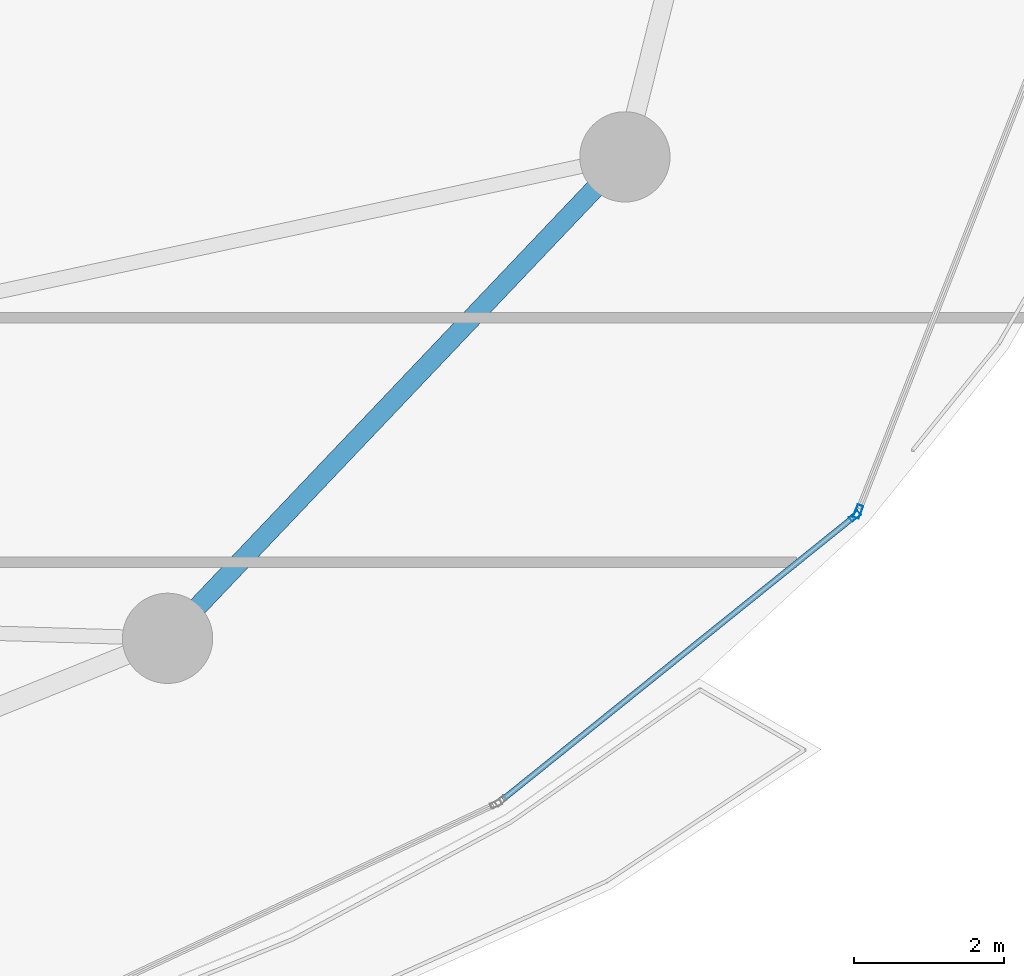
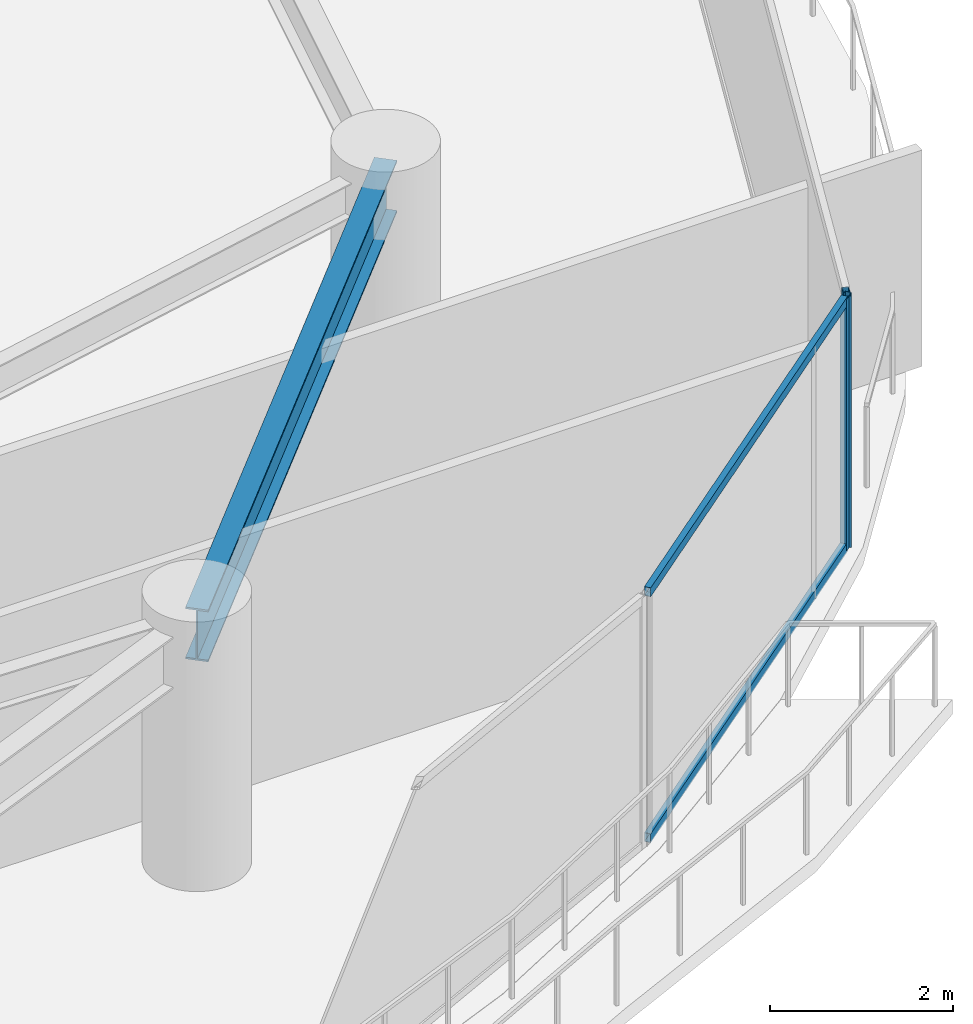
# One storey, part 15 of 33: 4 members, 1 beam, 2 elements without a shape of their own.
"""IFC4 building model written with IfcOpenShell, lengths in metres."""

from ifc_helpers import new_model, si_unit, direction, frame, origin, origin_2d, place, context, subcontext, project, spatial, hollow_rectangle, i_section, extrude, material, layer, layer_set, material_profile, profile_set, type_object, element, aggregate, save


model = new_model("IFC4")

# Units and contexts
model_context = context("Model", 3, precision=1e-05, world=origin(), true_north=direction((0.0, 1.0)))
body_context = subcontext(model_context, "Body", "Model", "MODEL_VIEW")
ifc_project = project(units=[si_unit("LENGTHUNIT", "METRE"), si_unit("AREAUNIT", "SQUARE_METRE"), si_unit("VOLUMEUNIT", "CUBIC_METRE"), si_unit("PLANEANGLEUNIT", "RADIAN"), si_unit("MASSUNIT", "GRAM", prefix="KILO")], contexts=[model_context])

# Site, building, storey
site_placement = place(None, origin())
site = spatial("IfcSite", under=ifc_project, at=site_placement, CompositionType="ELEMENT")
building_placement = place(site_placement, origin())
building = spatial("IfcBuilding", under=site, at=building_placement, Name="Kazevale Care Tower and Concert Hall", CompositionType="ELEMENT")
storey_placement = place(building_placement, frame((0.0, 0.0, 149.39990234375)))
storey = spatial("IfcBuildingStorey", under=building, at=storey_placement, Name="L39", CompositionType="ELEMENT", Elevation=149.39990234375)

# Curtain wall, member
ifc_material_1 = material(Name="Aluminium 6063-T6 and Low-E Glass", Category="aluminium")
ifc_layer_1 = layer(ifc_material_1, 0.179931640625)
ifc_layer_set_1 = layer_set([ifc_layer_1], Name="Aluminium 6063-T6 and Low-E Glass")
curtain_wall_type_1 = type_object("IfcCurtainWallType", Name="Waist & Upper Residential Curtain Wall CW-4", PredefinedType="NOTDEFINED", material=ifc_layer_set_1)
curtain_wall_1_placement = place(storey_placement, origin())
curtain_wall_1 = element("IfcCurtainWall", 1, at=curtain_wall_1_placement, inside=storey, type_object=curtain_wall_type_1, Name="cw:L39:f01", PredefinedType="NOTDEFINED")
ifc_material_2 = material(Name="Aluminium 6063-T6", Category="aluminium")
ifc_material_profile_1 = material_profile(ifc_material_2, hollow_rectangle(XDim=0.080078125, YDim=0.179931640625, WallThickness=0.0048828125, at=origin_2d()), Name="ALU80x180x5")
ifc_profile_set_1 = profile_set([ifc_material_profile_1], Name="Aluminium 6063-T6")
member_type_1 = type_object("IfcMemberType", Name="CW-4 Mullion ALU80x180x5", PredefinedType="MULLION", material=ifc_profile_set_1)
member_1_placement = place(storey_placement, frame((74.010498046875, 24.67529296875, 0.0), z_axis=(0.0, 0.0, 1.0), x_axis=(0.931351746651, -0.36412075471, 0.0)))
member_1 = element("IfcMember", 2, at=member_1_placement, type_object=member_type_1, Name="CW-4 mullion 2", PredefinedType="MULLION", context=body_context, shape_type="SweptSolid", body=[
    extrude(hollow_rectangle(XDim=0.080078125, YDim=0.179931640625, WallThickness=0.0048828125, at=origin_2d()), origin(), (0.0, 0.0, 1.0), 3.360107421875),
])
aggregate(curtain_wall_1, [member_1])

# Curtain wall, members
ifc_layer_2 = layer(ifc_material_1, 0.179931640625)
ifc_layer_set_2 = layer_set([ifc_layer_2], Name="Aluminium 6063-T6 and Low-E Glass")
curtain_wall_type_2 = type_object("IfcCurtainWallType", Name="Sheltered Concave Balcony Curtain Wall CW-5", PredefinedType="NOTDEFINED", material=ifc_layer_set_2)
curtain_wall_2_placement = place(storey_placement, origin())
curtain_wall_2 = element("IfcCurtainWall", 3, at=curtain_wall_2_placement, inside=storey, type_object=curtain_wall_type_2, Name="cw:L39:f02", PredefinedType="NOTDEFINED")
ifc_material_profile_2 = material_profile(ifc_material_2, hollow_rectangle(XDim=0.074951171875, YDim=0.14990234375, WallThickness=0.00390625, at=origin_2d()), Name="ALU75x150x4")
ifc_profile_set_2 = profile_set([ifc_material_profile_2], Name="Aluminium 6063-T6")
member_type_2 = type_object("IfcMemberType", Name="CW-5 Mullion ALU75x150x4", PredefinedType="MULLION", material=ifc_profile_set_2)
member_2_placement = place(storey_placement, frame((73.966796875, 24.614501953125, 0.0), z_axis=(0.0, 0.0, 1.0), x_axis=(0.626905357502, -0.779095419531, 0.0)))
member_2 = element("IfcMember", 4, at=member_2_placement, type_object=member_type_2, Name="CW-5 mullion 1", PredefinedType="MULLION", context=body_context, shape_type="SweptSolid", body=[
    extrude(hollow_rectangle(XDim=0.074951171875, YDim=0.14990234375, WallThickness=0.00390625, at=origin_2d()), origin(), (0.0, 0.0, 1.0), 3.360107421875),
])
ifc_material_profile_3 = material_profile(ifc_material_2, hollow_rectangle(XDim=0.074951171875, YDim=0.1201171875, WallThickness=0.00390625, at=origin_2d()), Name="ALU75x120x4")
ifc_profile_set_3 = profile_set([ifc_material_profile_3], Name="Aluminium 6063-T6")
member_type_3 = type_object("IfcMemberType", Name="CW-5 Transom ALU75x120x4", PredefinedType="USERDEFINED", material=ifc_profile_set_3)
member_3_placement = place(storey_placement, frame((73.9375, 24.591064453125, 0.03759765625), z_axis=(-0.779097461373, -0.626902819966, 0.0), x_axis=(0.626902819966, -0.779097461373, 0.0)))
member_3 = element("IfcMember", 5, at=member_3_placement, type_object=member_type_3, Name="CW-5 transom 1.1", ObjectType="TRANSOM", PredefinedType="USERDEFINED", context=body_context, shape_type="SweptSolid", body=[
    extrude(hollow_rectangle(XDim=0.074951171875, YDim=0.1201171875, WallThickness=0.00390625, at=origin_2d()), origin(), (0.0, 0.0, 1.0), 5.96728515625),
])
member_4_placement = place(storey_placement, frame((73.9375, 24.591064453125, 3.322509765625), z_axis=(-0.779097461373, -0.626902819966, 0.0), x_axis=(0.626902819966, -0.779097461373, 0.0)))
member_4 = element("IfcMember", 6, at=member_4_placement, type_object=member_type_3, Name="CW-5 transom 1.2", ObjectType="TRANSOM", PredefinedType="USERDEFINED", context=body_context, shape_type="SweptSolid", body=[
    extrude(hollow_rectangle(XDim=0.074951171875, YDim=0.1201171875, WallThickness=0.00390625, at=origin_2d()), origin(), (0.0, 0.0, 1.0), 5.96728515625),
])
aggregate(curtain_wall_2, [member_2, member_3, member_4])

# Beam
ifc_material_3 = material(Name="Steel ASTM A572 Gr 50", Category="steel")
ifc_material_profile_4 = material_profile(ifc_material_3, i_section(OverallWidth=0.256103515625, OverallDepth=0.693115234375, WebThickness=0.014404296875, FlangeThickness=0.023681640625, at=origin_2d()), Name="W690x170")
ifc_profile_set_4 = profile_set([ifc_material_profile_4], Name="Steel ASTM A572 Gr 50")
beam_type = type_object("IfcBeamType", Name="Waist Ring Beam W690x170", PredefinedType="BEAM", material=ifc_profile_set_4)
beam_placement = place(storey_placement, frame((64.830078125, 22.989990234375, 3.013671875), z_axis=(0.688745100728, 0.725003576697, 0.0), x_axis=(-0.725003576697, 0.688745100728, 0.0)))
element("IfcBeam", 7, at=beam_placement, inside=storey, type_object=beam_type, Name="beam:L39:ring:15", PredefinedType="BEAM", context=body_context, shape_type="SweptSolid", body=[
    extrude(i_section(OverallWidth=0.256103515625, OverallDepth=0.693115234375, WebThickness=0.014404296875, FlangeThickness=0.023681640625, at=origin_2d()), origin(), (0.0, 0.0, 1.0), 8.827392578125),
])

save(model, "model.ifc")
